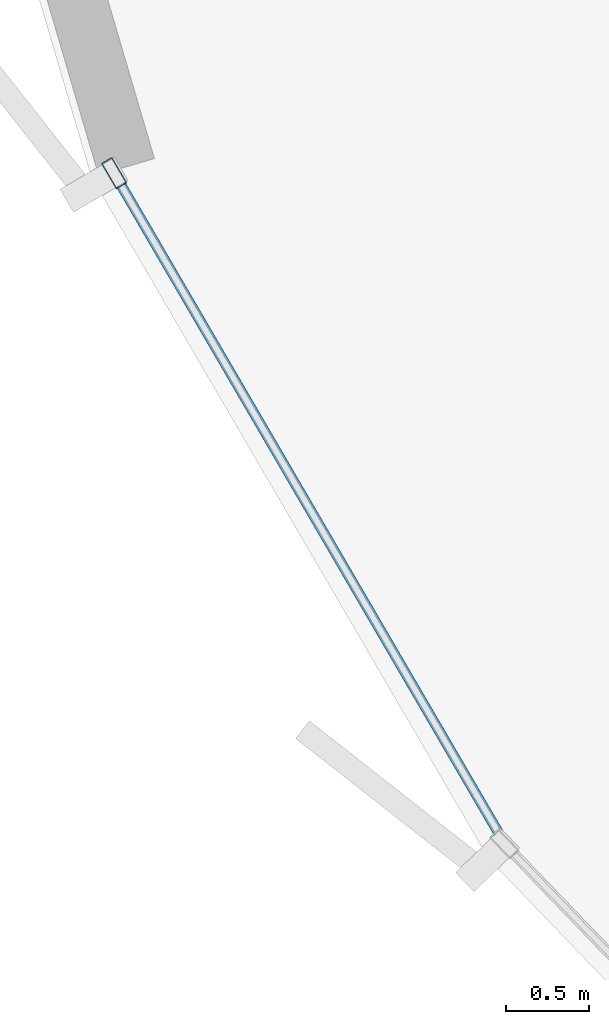
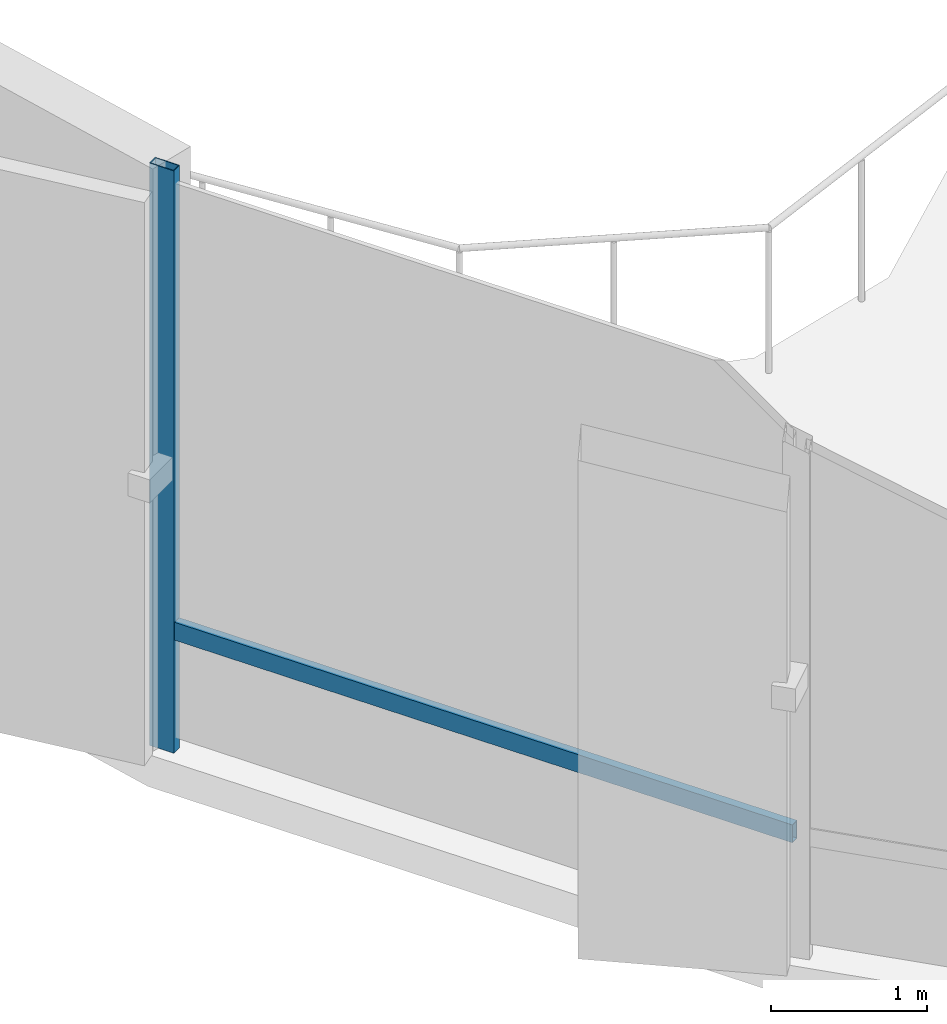
# One storey, part 3 of 34: 2 members, 1 element without a shape of its own.
"""IFC4 building model written with IfcOpenShell, lengths in metres."""

from ifc_helpers import new_model, si_unit, direction, frame, origin, origin_2d, place, context, subcontext, project, spatial, hollow_rectangle, extrude, source, transform, mapped, material, layer, layer_set, material_profile, profile_set, type_object, element, aggregate, save


model = new_model("IFC4")

# Units and contexts
model_context = context("Model", 3, precision=1e-05, world=origin(), true_north=direction((0.0, 1.0)))
body_context = subcontext(model_context, "Body", "Model", "MODEL_VIEW")
ifc_project = project(units=[si_unit("LENGTHUNIT", "METRE"), si_unit("AREAUNIT", "SQUARE_METRE"), si_unit("VOLUMEUNIT", "CUBIC_METRE"), si_unit("PLANEANGLEUNIT", "RADIAN"), si_unit("MASSUNIT", "GRAM", prefix="KILO"), si_unit("THERMODYNAMICTEMPERATUREUNIT", "KELVIN")], contexts=[model_context])

# Site, building, storey
site_placement = place(None, origin())
site = spatial("IfcSite", under=ifc_project, at=site_placement, CompositionType="ELEMENT")
building_placement = place(site_placement, origin())
building = spatial("IfcBuilding", under=site, at=building_placement, Name="Kethvar Cultural Tower", CompositionType="ELEMENT")
storey_placement = place(building_placement, frame((0.0, 0.0, 5.199951171875)))
storey = spatial("IfcBuildingStorey", under=building, at=storey_placement, Name="L01", CompositionType="ELEMENT", Elevation=5.199951171875)

# Curtain wall, members
ifc_material = material(Name="Aluminium 6063-T6", Category="aluminium")
ifc_layer = layer(ifc_material, 0.179931640625, Name="Aluminium 6063-T6", Category="aluminium")
ifc_layer_set = layer_set([ifc_layer], Name="Aluminium 6063-T6 (180 mm)")
curtain_wall_type = type_object("IfcCurtainWallType", Name="CW-SYS-01-POD", PredefinedType="NOTDEFINED", material=ifc_layer_set)
curtain_wall_placement = place(storey_placement, origin())
curtain_wall = element("IfcCurtainWall", 1, at=curtain_wall_placement, inside=storey, type_object=curtain_wall_type, Name="L01 Curtain Wall Run 04", PredefinedType="NOTDEFINED")
ifc_material_profile_1 = material_profile(ifc_material, hollow_rectangle(XDim=0.06005859375, YDim=0.139892578125, WallThickness=0.0048828125, at=origin_2d()), Name="Aluminium 6063-T6 — RHS140x60x5")
ifc_profile_set_1 = profile_set([ifc_material_profile_1], Name="Aluminium 6063-T6 — RHS140x60x5")
member_type_1 = type_object("IfcMemberType", Name="CW-SYS-01-POD-TRN", PredefinedType="USERDEFINED", material=ifc_profile_set_1)
shared_shape_1 = source(origin(), body_context, "Body", "SweptSolid", [
    extrude(hollow_rectangle(XDim=0.06005859375, YDim=0.139892578125, WallThickness=0.0048828125, at=origin_2d()), origin(), (0.0, 0.0, 1.0), 4.639892578125),
])
member_1_placement = place(storey_placement, frame((2.864501953125, 15.72705078125, 0.949951171875), z_axis=(0.503504560489, -0.863992568004, 0.0), x_axis=(0.863992568004, 0.503504560489, 0.0)))
member_1 = element("IfcMember", 2, at=member_1_placement, type_object=member_type_1, Name="CW-L01-R04 Transom 1", ObjectType="TRANSOM", PredefinedType="USERDEFINED", context=body_context, shape_type="MappedRepresentation", body=[
    mapped(shared_shape_1, transform((0.0, 0.0, 0.0), scale=1.0)),
])
ifc_material_profile_2 = material_profile(ifc_material, hollow_rectangle(XDim=0.074951171875, YDim=0.179931640625, WallThickness=0.006103515625, at=origin_2d()), Name="Aluminium 6063-T6 — RHS180x75x6")
ifc_profile_set_2 = profile_set([ifc_material_profile_2], Name="Aluminium 6063-T6 — RHS180x75x6")
member_type_2 = type_object("IfcMemberType", Name="CW-SYS-01-POD-MUL", PredefinedType="MULLION", material=ifc_profile_set_2)
shared_shape_2 = source(origin(), body_context, "Body", "SweptSolid", [
    extrude(hollow_rectangle(XDim=0.074951171875, YDim=0.179931640625, WallThickness=0.006103515625, at=origin_2d()), origin(), (0.0, 0.0, 1.0), 4.550048828125),
])
member_2_placement = place(storey_placement, frame((2.86181640625, 15.731689453125, 0.0), z_axis=(0.0, 0.0, 1.0), x_axis=(0.863984939927, 0.503517649721, 0.0)))
member_2 = element("IfcMember", 3, at=member_2_placement, type_object=member_type_2, Name="CW-L01-R04 Mullion 1", PredefinedType="MULLION", context=body_context, shape_type="MappedRepresentation", body=[
    mapped(shared_shape_2, transform((0.0, 0.0, 0.0), scale=1.0)),
])
aggregate(curtain_wall, [member_2, member_1])

save(model, "model.ifc")
